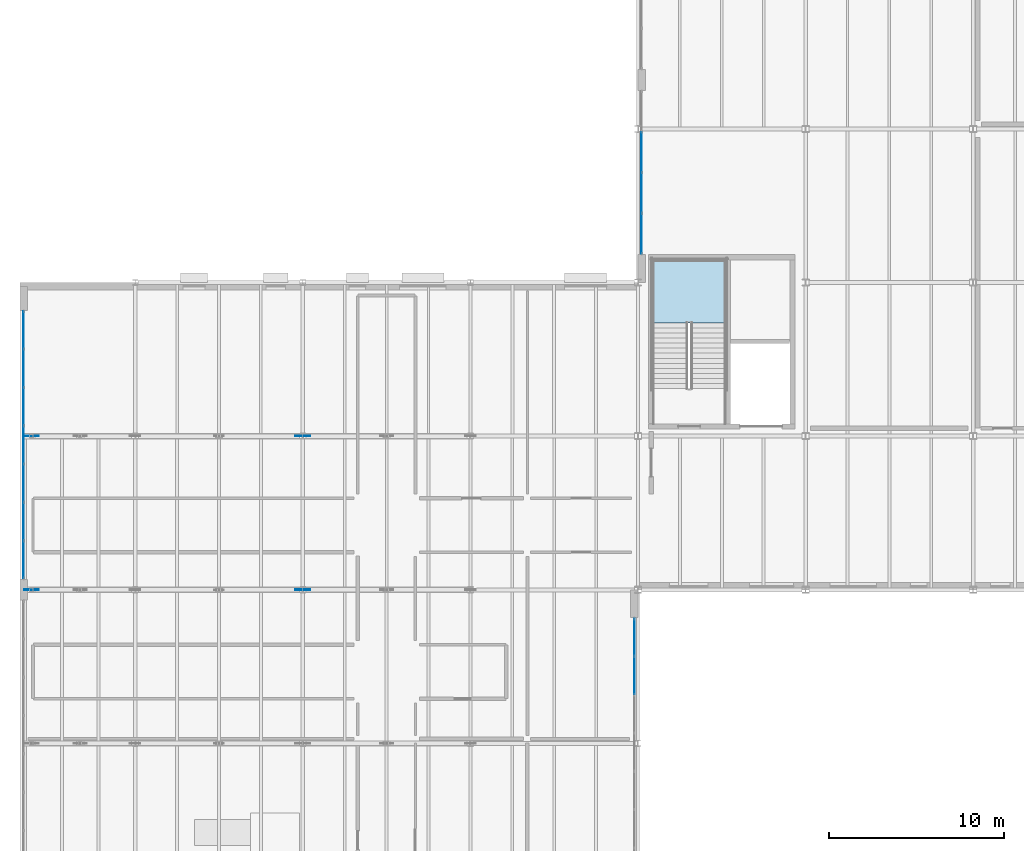
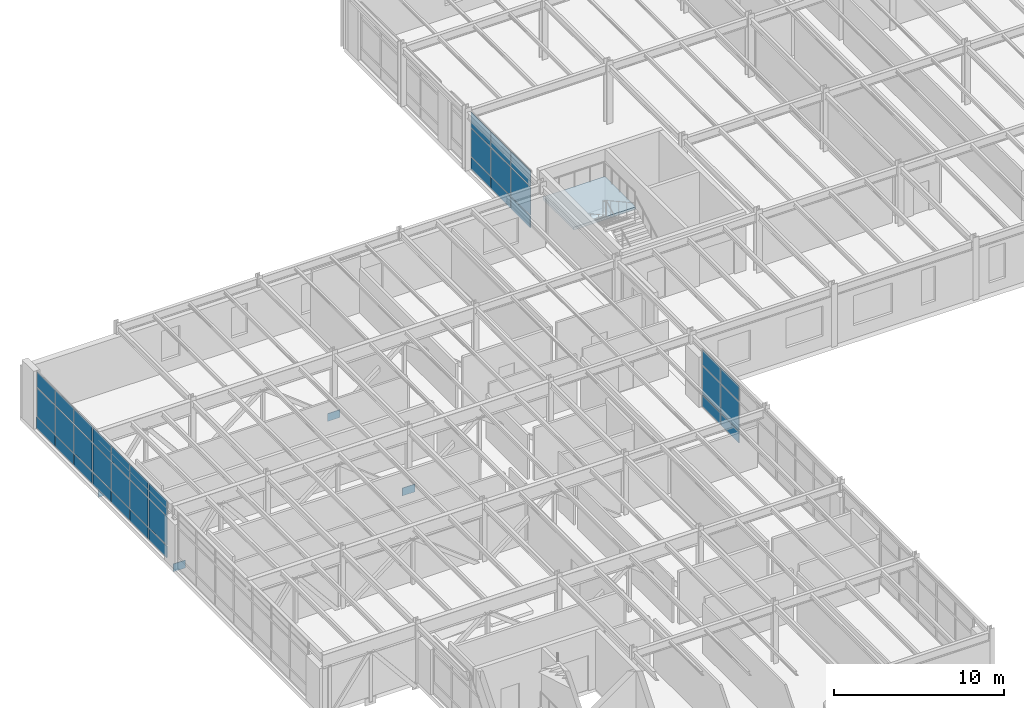
# One storey, part 53 of 88: 40 plates, 1 slab, 4 elements without a shape of their own.
"""IFC4 building model written with IfcOpenShell, lengths in metres."""

from ifc_helpers import new_model, si_unit, direction, frame, origin, origin_2d, place, context, subcontext, project, spatial, polyline, rectangle, outline, extrude, material, layer, layer_set, type_object, element, aggregate, save


model = new_model("IFC4")

# Units and contexts
model_context = context("Model", 3, precision=1e-05, world=origin(), true_north=direction((0.0, 1.0)))
body_context = subcontext(model_context, "Body", "Model", "MODEL_VIEW")
ifc_project = project(units=[si_unit("LENGTHUNIT", "METRE"), si_unit("AREAUNIT", "SQUARE_METRE"), si_unit("VOLUMEUNIT", "CUBIC_METRE"), si_unit("PLANEANGLEUNIT", "RADIAN"), si_unit("MASSUNIT", "GRAM", prefix="KILO")], contexts=[model_context])

# Site, building, storey
site_placement = place(None, origin())
site = spatial("IfcSite", under=ifc_project, at=site_placement, CompositionType="ELEMENT")
building_placement = place(site_placement, origin())
building = spatial("IfcBuilding", under=site, at=building_placement, Name="Sarnbrook Museum", CompositionType="ELEMENT")
storey_placement = place(building_placement, frame((0.0, 0.0, 10.10009765625)))
storey = spatial("IfcBuildingStorey", under=building, at=storey_placement, Name="L02", CompositionType="ELEMENT", Elevation=10.10009765625)

# Curtain wall, plates
ifc_material_1 = material(Name="Thermally Broken Anodised Aluminium 6063-T6", Category="aluminium")
curtain_wall_type = type_object("IfcCurtainWallType", Name="CurtainWall_GalleryRibbon", PredefinedType="NOTDEFINED", material=ifc_material_1)
curtain_wall_1_placement = place(storey_placement, origin())
curtain_wall_1 = element("IfcCurtainWall", 1, at=curtain_wall_1_placement, inside=storey, type_object=curtain_wall_type, Name="Gallery Ribbon Curtain Wall L02-6.2", PredefinedType="NOTDEFINED")
ifc_material_2 = material(Name="Double-Glazed Low-Iron Laminated Safety Glass", Category="glass")
ifc_layer_1 = layer(ifc_material_2, 0.031982421875)
ifc_layer_set_1 = layer_set([ifc_layer_1], Name="Double-Glazed Low-Iron Laminated Safety Glass")
plate_type_1 = type_object("IfcPlateType", Name="CW_GlazedPanel_32", PredefinedType="CURTAIN_PANEL", material=ifc_layer_set_1)
plate_1_placement = place(storey_placement, frame((42.6181640625, 99.469970703125, 1.949951171875), z_axis=(-1.0, 0.0, 0.0), x_axis=(0.0, -1.0, 0.0)))
plate_1 = element("IfcPlate", 2, at=plate_1_placement, type_object=plate_type_1, Name="Gallery Ribbon Curtain Wall L02-6.2 Glazed Panel 2-2", PredefinedType="CURTAIN_PANEL", context=body_context, shape_type="SweptSolid", body=[
    extrude(rectangle(XDim=2.264892578125, YDim=2.030029296875, at=origin_2d()), origin(), (0.0, 0.0, 1.0), 0.031982421875),
])
plate_2_placement = place(storey_placement, frame((42.6181640625, 99.469970703125, 3.579833984375), z_axis=(-1.0, 0.0, 0.0), x_axis=(0.0, -1.0, 0.0)))
plate_2 = element("IfcPlate", 3, at=plate_2_placement, type_object=plate_type_1, Name="Gallery Ribbon Curtain Wall L02-6.2 Glazed Panel 2-3", PredefinedType="CURTAIN_PANEL", context=body_context, shape_type="SweptSolid", body=[
    extrude(rectangle(XDim=2.264892578125, YDim=1.090087890625, at=origin_2d()), origin(), (0.0, 0.0, 1.0), 0.031982421875),
])
plate_3_placement = place(storey_placement, frame((42.6181640625, 97.1298828125, 1.949951171875), z_axis=(-1.0, 0.0, 0.0), x_axis=(0.0, -1.0, 0.0)))
plate_3 = element("IfcPlate", 4, at=plate_3_placement, type_object=plate_type_1, Name="Gallery Ribbon Curtain Wall L02-6.2 Glazed Panel 3-2", PredefinedType="CURTAIN_PANEL", context=body_context, shape_type="SweptSolid", body=[
    extrude(rectangle(XDim=2.264892578125, YDim=2.030029296875, at=origin_2d()), origin(), (0.0, 0.0, 1.0), 0.031982421875),
])
plate_4_placement = place(storey_placement, frame((42.6181640625, 97.1298828125, 3.579833984375), z_axis=(-1.0, 0.0, 0.0), x_axis=(0.0, -1.0, 0.0)))
plate_4 = element("IfcPlate", 5, at=plate_4_placement, type_object=plate_type_1, Name="Gallery Ribbon Curtain Wall L02-6.2 Glazed Panel 3-3", PredefinedType="CURTAIN_PANEL", context=body_context, shape_type="SweptSolid", body=[
    extrude(rectangle(XDim=2.264892578125, YDim=1.090087890625, at=origin_2d()), origin(), (0.0, 0.0, 1.0), 0.031982421875),
])
plate_5_placement = place(storey_placement, frame((42.6181640625, 94.7900390625, 1.949951171875), z_axis=(-1.0, 0.0, 0.0), x_axis=(0.0, -1.0, 0.0)))
plate_5 = element("IfcPlate", 6, at=plate_5_placement, type_object=plate_type_1, Name="Gallery Ribbon Curtain Wall L02-6.2 Glazed Panel 4-2", PredefinedType="CURTAIN_PANEL", context=body_context, shape_type="SweptSolid", body=[
    extrude(rectangle(XDim=2.264892578125, YDim=2.030029296875, at=origin_2d()), origin(), (0.0, 0.0, 1.0), 0.031982421875),
])
plate_6_placement = place(storey_placement, frame((42.6181640625, 94.7900390625, 3.579833984375), z_axis=(-1.0, 0.0, 0.0), x_axis=(0.0, -1.0, 0.0)))
plate_6 = element("IfcPlate", 7, at=plate_6_placement, type_object=plate_type_1, Name="Gallery Ribbon Curtain Wall L02-6.2 Glazed Panel 4-3", PredefinedType="CURTAIN_PANEL", context=body_context, shape_type="SweptSolid", body=[
    extrude(rectangle(XDim=2.264892578125, YDim=1.090087890625, at=origin_2d()), origin(), (0.0, 0.0, 1.0), 0.031982421875),
])

curtain_wall_2_placement = place(storey_placement, origin())
curtain_wall_2 = element("IfcCurtainWall", 8, at=curtain_wall_2_placement, inside=storey, type_object=curtain_wall_type, Name="Gallery Ribbon Curtain Wall L02-8.1", PredefinedType="NOTDEFINED")
plate_7_placement = place(storey_placement, frame((7.2177734375, 89.282958984375, 1.949951171875), z_axis=(-1.0, 0.0, 0.0), x_axis=(0.0, -1.0, 0.0)))
plate_7 = element("IfcPlate", 9, at=plate_7_placement, type_object=plate_type_1, Name="Gallery Ribbon Curtain Wall L02-8.1 Glazed Panel 1-2", PredefinedType="CURTAIN_PANEL", context=body_context, shape_type="SweptSolid", body=[
    extrude(rectangle(XDim=2.119384765625, YDim=2.030029296875, at=origin_2d()), origin(), (0.0, 0.0, 1.0), 0.031982421875),
])
plate_8_placement = place(storey_placement, frame((7.2177734375, 89.282958984375, 3.579833984375), z_axis=(-1.0, 0.0, 0.0), x_axis=(0.0, -1.0, 0.0)))
plate_8 = element("IfcPlate", 10, at=plate_8_placement, type_object=plate_type_1, Name="Gallery Ribbon Curtain Wall L02-8.1 Glazed Panel 1-3", PredefinedType="CURTAIN_PANEL", context=body_context, shape_type="SweptSolid", body=[
    extrude(rectangle(XDim=2.119384765625, YDim=1.090087890625, at=origin_2d()), origin(), (0.0, 0.0, 1.0), 0.031982421875),
])
plate_9_placement = place(storey_placement, frame((7.2177734375, 87.088623046875, 1.949951171875), z_axis=(-1.0, 0.0, 0.0), x_axis=(0.0, -1.0, 0.0)))
plate_9 = element("IfcPlate", 11, at=plate_9_placement, type_object=plate_type_1, Name="Gallery Ribbon Curtain Wall L02-8.1 Glazed Panel 2-2", PredefinedType="CURTAIN_PANEL", context=body_context, shape_type="SweptSolid", body=[
    extrude(rectangle(XDim=2.119384765625, YDim=2.030029296875, at=origin_2d()), origin(), (0.0, 0.0, 1.0), 0.031982421875),
])
plate_10_placement = place(storey_placement, frame((7.2177734375, 87.088623046875, 3.579833984375), z_axis=(-1.0, 0.0, 0.0), x_axis=(0.0, -1.0, 0.0)))
plate_10 = element("IfcPlate", 12, at=plate_10_placement, type_object=plate_type_1, Name="Gallery Ribbon Curtain Wall L02-8.1 Glazed Panel 2-3", PredefinedType="CURTAIN_PANEL", context=body_context, shape_type="SweptSolid", body=[
    extrude(rectangle(XDim=2.119384765625, YDim=1.090087890625, at=origin_2d()), origin(), (0.0, 0.0, 1.0), 0.031982421875),
])
plate_11_placement = place(storey_placement, frame((7.2177734375, 84.894287109375, 1.949951171875), z_axis=(-1.0, 0.0, 0.0), x_axis=(0.0, -1.0, 0.0)))
plate_11 = element("IfcPlate", 13, at=plate_11_placement, type_object=plate_type_1, Name="Gallery Ribbon Curtain Wall L02-8.1 Glazed Panel 3-2", PredefinedType="CURTAIN_PANEL", context=body_context, shape_type="SweptSolid", body=[
    extrude(rectangle(XDim=2.119384765625, YDim=2.030029296875, at=origin_2d()), origin(), (0.0, 0.0, 1.0), 0.031982421875),
])
plate_12_placement = place(storey_placement, frame((7.2177734375, 84.894287109375, 3.579833984375), z_axis=(-1.0, 0.0, 0.0), x_axis=(0.0, -1.0, 0.0)))
plate_12 = element("IfcPlate", 14, at=plate_12_placement, type_object=plate_type_1, Name="Gallery Ribbon Curtain Wall L02-8.1 Glazed Panel 3-3", PredefinedType="CURTAIN_PANEL", context=body_context, shape_type="SweptSolid", body=[
    extrude(rectangle(XDim=2.119384765625, YDim=1.090087890625, at=origin_2d()), origin(), (0.0, 0.0, 1.0), 0.031982421875),
])
plate_13_placement = place(storey_placement, frame((7.2177734375, 82.699951171875, 1.949951171875), z_axis=(-1.0, 0.0, 0.0), x_axis=(0.0, -1.0, 0.0)))
plate_13 = element("IfcPlate", 15, at=plate_13_placement, type_object=plate_type_1, Name="Gallery Ribbon Curtain Wall L02-8.1 Glazed Panel 4-2", PredefinedType="CURTAIN_PANEL", context=body_context, shape_type="SweptSolid", body=[
    extrude(rectangle(XDim=2.119384765625, YDim=2.030029296875, at=origin_2d()), origin(), (0.0, 0.0, 1.0), 0.031982421875),
])
plate_14_placement = place(storey_placement, frame((7.2177734375, 82.699951171875, 3.579833984375), z_axis=(-1.0, 0.0, 0.0), x_axis=(0.0, -1.0, 0.0)))
plate_14 = element("IfcPlate", 16, at=plate_14_placement, type_object=plate_type_1, Name="Gallery Ribbon Curtain Wall L02-8.1 Glazed Panel 4-3", PredefinedType="CURTAIN_PANEL", context=body_context, shape_type="SweptSolid", body=[
    extrude(rectangle(XDim=2.119384765625, YDim=1.090087890625, at=origin_2d()), origin(), (0.0, 0.0, 1.0), 0.031982421875),
])
plate_15_placement = place(storey_placement, frame((7.2177734375, 80.505615234375, 1.949951171875), z_axis=(-1.0, 0.0, 0.0), x_axis=(0.0, -1.0, 0.0)))
plate_15 = element("IfcPlate", 17, at=plate_15_placement, type_object=plate_type_1, Name="Gallery Ribbon Curtain Wall L02-8.1 Glazed Panel 5-2", PredefinedType="CURTAIN_PANEL", context=body_context, shape_type="SweptSolid", body=[
    extrude(rectangle(XDim=2.119384765625, YDim=2.030029296875, at=origin_2d()), origin(), (0.0, 0.0, 1.0), 0.031982421875),
])
plate_16_placement = place(storey_placement, frame((7.2177734375, 80.505615234375, 3.579833984375), z_axis=(-1.0, 0.0, 0.0), x_axis=(0.0, -1.0, 0.0)))
plate_16 = element("IfcPlate", 18, at=plate_16_placement, type_object=plate_type_1, Name="Gallery Ribbon Curtain Wall L02-8.1 Glazed Panel 5-3", PredefinedType="CURTAIN_PANEL", context=body_context, shape_type="SweptSolid", body=[
    extrude(rectangle(XDim=2.119384765625, YDim=1.090087890625, at=origin_2d()), origin(), (0.0, 0.0, 1.0), 0.031982421875),
])
plate_17_placement = place(storey_placement, frame((7.2177734375, 78.311279296875, 1.949951171875), z_axis=(-1.0, 0.0, 0.0), x_axis=(0.0, -1.0, 0.0)))
plate_17 = element("IfcPlate", 19, at=plate_17_placement, type_object=plate_type_1, Name="Gallery Ribbon Curtain Wall L02-8.1 Glazed Panel 6-2", PredefinedType="CURTAIN_PANEL", context=body_context, shape_type="SweptSolid", body=[
    extrude(rectangle(XDim=2.119384765625, YDim=2.030029296875, at=origin_2d()), origin(), (0.0, 0.0, 1.0), 0.031982421875),
])
plate_18_placement = place(storey_placement, frame((7.2177734375, 78.311279296875, 3.579833984375), z_axis=(-1.0, 0.0, 0.0), x_axis=(0.0, -1.0, 0.0)))
plate_18 = element("IfcPlate", 20, at=plate_18_placement, type_object=plate_type_1, Name="Gallery Ribbon Curtain Wall L02-8.1 Glazed Panel 6-3", PredefinedType="CURTAIN_PANEL", context=body_context, shape_type="SweptSolid", body=[
    extrude(rectangle(XDim=2.119384765625, YDim=1.090087890625, at=origin_2d()), origin(), (0.0, 0.0, 1.0), 0.031982421875),
])
plate_19_placement = place(storey_placement, frame((7.2177734375, 76.1171875, 1.949951171875), z_axis=(-1.0, 0.0, 0.0), x_axis=(0.0, -1.0, 0.0)))
plate_19 = element("IfcPlate", 21, at=plate_19_placement, type_object=plate_type_1, Name="Gallery Ribbon Curtain Wall L02-8.1 Glazed Panel 7-2", PredefinedType="CURTAIN_PANEL", context=body_context, shape_type="SweptSolid", body=[
    extrude(rectangle(XDim=2.119384765625, YDim=2.030029296875, at=origin_2d()), origin(), (0.0, 0.0, 1.0), 0.031982421875),
])
plate_20_placement = place(storey_placement, frame((7.2177734375, 76.1171875, 3.579833984375), z_axis=(-1.0, 0.0, 0.0), x_axis=(0.0, -1.0, 0.0)))
plate_20 = element("IfcPlate", 22, at=plate_20_placement, type_object=plate_type_1, Name="Gallery Ribbon Curtain Wall L02-8.1 Glazed Panel 7-3", PredefinedType="CURTAIN_PANEL", context=body_context, shape_type="SweptSolid", body=[
    extrude(rectangle(XDim=2.119384765625, YDim=1.090087890625, at=origin_2d()), origin(), (0.0, 0.0, 1.0), 0.031982421875),
])

curtain_wall_3_placement = place(storey_placement, origin())
curtain_wall_3 = element("IfcCurtainWall", 23, at=curtain_wall_3_placement, inside=storey, type_object=curtain_wall_type, Name="Gallery Ribbon Curtain Wall L02-12.2", PredefinedType="NOTDEFINED")
plate_21_placement = place(storey_placement, frame((42.18212890625, 69.488525390625, 1.949951171875), z_axis=(1.0, 0.0, 0.0), x_axis=(0.0, 1.0, 0.0)))
plate_21 = element("IfcPlate", 24, at=plate_21_placement, type_object=plate_type_1, Name="Gallery Ribbon Curtain Wall L02-12.2 Glazed Panel 6-2", PredefinedType="CURTAIN_PANEL", context=body_context, shape_type="SweptSolid", body=[
    extrude(rectangle(XDim=2.119384765625, YDim=2.030029296875, at=origin_2d()), origin(), (0.0, 0.0, 1.0), 0.031982421875),
])
plate_22_placement = place(storey_placement, frame((42.18212890625, 69.488525390625, 3.579833984375), z_axis=(1.0, 0.0, 0.0), x_axis=(0.0, 1.0, 0.0)))
plate_22 = element("IfcPlate", 25, at=plate_22_placement, type_object=plate_type_1, Name="Gallery Ribbon Curtain Wall L02-12.2 Glazed Panel 6-3", PredefinedType="CURTAIN_PANEL", context=body_context, shape_type="SweptSolid", body=[
    extrude(rectangle(XDim=2.119384765625, YDim=1.090087890625, at=origin_2d()), origin(), (0.0, 0.0, 1.0), 0.031982421875),
])
plate_23_placement = place(storey_placement, frame((42.18212890625, 71.682861328125, 1.949951171875), z_axis=(1.0, 0.0, 0.0), x_axis=(0.0, 1.0, 0.0)))
plate_23 = element("IfcPlate", 26, at=plate_23_placement, type_object=plate_type_1, Name="Gallery Ribbon Curtain Wall L02-12.2 Glazed Panel 7-2", PredefinedType="CURTAIN_PANEL", context=body_context, shape_type="SweptSolid", body=[
    extrude(rectangle(XDim=2.119384765625, YDim=2.030029296875, at=origin_2d()), origin(), (0.0, 0.0, 1.0), 0.031982421875),
])
plate_24_placement = place(storey_placement, frame((42.18212890625, 71.682861328125, 3.579833984375), z_axis=(1.0, 0.0, 0.0), x_axis=(0.0, 1.0, 0.0)))
plate_24 = element("IfcPlate", 27, at=plate_24_placement, type_object=plate_type_1, Name="Gallery Ribbon Curtain Wall L02-12.2 Glazed Panel 7-3", PredefinedType="CURTAIN_PANEL", context=body_context, shape_type="SweptSolid", body=[
    extrude(rectangle(XDim=2.119384765625, YDim=1.090087890625, at=origin_2d()), origin(), (0.0, 0.0, 1.0), 0.031982421875),
])

# Plate
ifc_material_3 = material(Name="Patinated Architectural Bronze")
ifc_layer_2 = layer(ifc_material_3, 0.044921875)
ifc_layer_set_2 = layer_set([ifc_layer_2], Name="Patinated Architectural Bronze")
plate_type_2 = type_object("IfcPlateType", Name="CW_SpandrelPanel_45", PredefinedType="CURTAIN_PANEL", material=ifc_layer_set_2)
plate_25_placement = place(storey_placement, frame((42.62451171875, 99.469970703125, 0.449951171875), z_axis=(-1.0, 0.0, 0.0), x_axis=(0.0, -1.0, 0.0)))
plate_25 = element("IfcPlate", 28, at=plate_25_placement, type_object=plate_type_2, Name="Gallery Ribbon Curtain Wall L02-6.2 Spandrel Panel 2-1", PredefinedType="CURTAIN_PANEL", context=body_context, shape_type="SweptSolid", body=[
    extrude(rectangle(XDim=2.264892578125, YDim=0.830078125, at=origin_2d()), origin(), (0.0, 0.0, 1.0), 0.044921875),
])

plate_26_placement = place(storey_placement, frame((42.62451171875, 97.1298828125, 0.449951171875), z_axis=(-1.0, 0.0, 0.0), x_axis=(0.0, -1.0, 0.0)))
plate_26 = element("IfcPlate", 29, at=plate_26_placement, type_object=plate_type_2, Name="Gallery Ribbon Curtain Wall L02-6.2 Spandrel Panel 3-1", PredefinedType="CURTAIN_PANEL", context=body_context, shape_type="SweptSolid", body=[
    extrude(rectangle(XDim=2.264892578125, YDim=0.830078125, at=origin_2d()), origin(), (0.0, 0.0, 1.0), 0.044921875),
])

plate_27_placement = place(storey_placement, frame((42.62451171875, 94.7900390625, 0.449951171875), z_axis=(-1.0, 0.0, 0.0), x_axis=(0.0, -1.0, 0.0)))
plate_27 = element("IfcPlate", 30, at=plate_27_placement, type_object=plate_type_2, Name="Gallery Ribbon Curtain Wall L02-6.2 Spandrel Panel 4-1", PredefinedType="CURTAIN_PANEL", context=body_context, shape_type="SweptSolid", body=[
    extrude(rectangle(XDim=2.264892578125, YDim=0.830078125, at=origin_2d()), origin(), (0.0, 0.0, 1.0), 0.044921875),
])

aggregate(curtain_wall_1, [plate_25, plate_1, plate_2, plate_26, plate_3, plate_4, plate_27, plate_5, plate_6])

plate_28_placement = place(storey_placement, frame((7.224365234375, 89.282958984375, 0.449951171875), z_axis=(-1.0, 0.0, 0.0), x_axis=(0.0, -1.0, 0.0)))
plate_28 = element("IfcPlate", 31, at=plate_28_placement, type_object=plate_type_2, Name="Gallery Ribbon Curtain Wall L02-8.1 Spandrel Panel 1-1", PredefinedType="CURTAIN_PANEL", context=body_context, shape_type="SweptSolid", body=[
    extrude(rectangle(XDim=2.119384765625, YDim=0.830078125, at=origin_2d()), origin(), (0.0, 0.0, 1.0), 0.044921875),
])

plate_29_placement = place(storey_placement, frame((7.224365234375, 87.088623046875, 0.449951171875), z_axis=(-1.0, 0.0, 0.0), x_axis=(0.0, -1.0, 0.0)))
plate_29 = element("IfcPlate", 32, at=plate_29_placement, type_object=plate_type_2, Name="Gallery Ribbon Curtain Wall L02-8.1 Spandrel Panel 2-1", PredefinedType="CURTAIN_PANEL", context=body_context, shape_type="SweptSolid", body=[
    extrude(rectangle(XDim=2.119384765625, YDim=0.830078125, at=origin_2d()), origin(), (0.0, 0.0, 1.0), 0.044921875),
])

plate_30_placement = place(storey_placement, frame((7.224365234375, 84.894287109375, 0.449951171875), z_axis=(-1.0, 0.0, 0.0), x_axis=(0.0, -1.0, 0.0)))
plate_30 = element("IfcPlate", 33, at=plate_30_placement, type_object=plate_type_2, Name="Gallery Ribbon Curtain Wall L02-8.1 Spandrel Panel 3-1", PredefinedType="CURTAIN_PANEL", context=body_context, shape_type="SweptSolid", body=[
    extrude(rectangle(XDim=2.119384765625, YDim=0.830078125, at=origin_2d()), origin(), (0.0, 0.0, 1.0), 0.044921875),
])

plate_31_placement = place(storey_placement, frame((7.224365234375, 82.699951171875, 0.449951171875), z_axis=(-1.0, 0.0, 0.0), x_axis=(0.0, -1.0, 0.0)))
plate_31 = element("IfcPlate", 34, at=plate_31_placement, type_object=plate_type_2, Name="Gallery Ribbon Curtain Wall L02-8.1 Spandrel Panel 4-1", PredefinedType="CURTAIN_PANEL", context=body_context, shape_type="SweptSolid", body=[
    extrude(rectangle(XDim=2.119384765625, YDim=0.830078125, at=origin_2d()), origin(), (0.0, 0.0, 1.0), 0.044921875),
])

plate_32_placement = place(storey_placement, frame((7.224365234375, 80.505615234375, 0.449951171875), z_axis=(-1.0, 0.0, 0.0), x_axis=(0.0, -1.0, 0.0)))
plate_32 = element("IfcPlate", 35, at=plate_32_placement, type_object=plate_type_2, Name="Gallery Ribbon Curtain Wall L02-8.1 Spandrel Panel 5-1", PredefinedType="CURTAIN_PANEL", context=body_context, shape_type="SweptSolid", body=[
    extrude(rectangle(XDim=2.119384765625, YDim=0.830078125, at=origin_2d()), origin(), (0.0, 0.0, 1.0), 0.044921875),
])

plate_33_placement = place(storey_placement, frame((7.224365234375, 78.311279296875, 0.449951171875), z_axis=(-1.0, 0.0, 0.0), x_axis=(0.0, -1.0, 0.0)))
plate_33 = element("IfcPlate", 36, at=plate_33_placement, type_object=plate_type_2, Name="Gallery Ribbon Curtain Wall L02-8.1 Spandrel Panel 6-1", PredefinedType="CURTAIN_PANEL", context=body_context, shape_type="SweptSolid", body=[
    extrude(rectangle(XDim=2.119384765625, YDim=0.830078125, at=origin_2d()), origin(), (0.0, 0.0, 1.0), 0.044921875),
])

plate_34_placement = place(storey_placement, frame((7.224365234375, 76.1171875, 0.449951171875), z_axis=(-1.0, 0.0, 0.0), x_axis=(0.0, -1.0, 0.0)))
plate_34 = element("IfcPlate", 37, at=plate_34_placement, type_object=plate_type_2, Name="Gallery Ribbon Curtain Wall L02-8.1 Spandrel Panel 7-1", PredefinedType="CURTAIN_PANEL", context=body_context, shape_type="SweptSolid", body=[
    extrude(rectangle(XDim=2.119384765625, YDim=0.830078125, at=origin_2d()), origin(), (0.0, 0.0, 1.0), 0.044921875),
])

aggregate(curtain_wall_2, [plate_28, plate_7, plate_8, plate_29, plate_9, plate_10, plate_30, plate_11, plate_12, plate_31, plate_13, plate_14, plate_32, plate_15, plate_16, plate_33, plate_17, plate_18, plate_34, plate_19, plate_20])

plate_35_placement = place(storey_placement, frame((42.175537109375, 69.488525390625, 0.449951171875), z_axis=(1.0, 0.0, 0.0), x_axis=(0.0, 1.0, 0.0)))
plate_35 = element("IfcPlate", 38, at=plate_35_placement, type_object=plate_type_2, Name="Gallery Ribbon Curtain Wall L02-12.2 Spandrel Panel 6-1", PredefinedType="CURTAIN_PANEL", context=body_context, shape_type="SweptSolid", body=[
    extrude(rectangle(XDim=2.119384765625, YDim=0.830078125, at=origin_2d()), origin(), (0.0, 0.0, 1.0), 0.044921875),
])

plate_36_placement = place(storey_placement, frame((42.175537109375, 71.682861328125, 0.449951171875), z_axis=(1.0, 0.0, 0.0), x_axis=(0.0, 1.0, 0.0)))
plate_36 = element("IfcPlate", 39, at=plate_36_placement, type_object=plate_type_2, Name="Gallery Ribbon Curtain Wall L02-12.2 Spandrel Panel 7-1", PredefinedType="CURTAIN_PANEL", context=body_context, shape_type="SweptSolid", body=[
    extrude(rectangle(XDim=2.119384765625, YDim=0.830078125, at=origin_2d()), origin(), (0.0, 0.0, 1.0), 0.044921875),
])

aggregate(curtain_wall_3, [plate_35, plate_21, plate_22, plate_36, plate_23, plate_24])

# Plates
ifc_material_4 = material(Name="Structural Steel Grade 350L0 (AS/NZS 3678, fy = 340 MPa for 20 < t <= 40 mm)", Category="steel")
ifc_layer_3 = layer(ifc_material_4, 0.031982421875)
ifc_layer_set_3 = layer_set([ifc_layer_3], Name="Structural Steel Grade 350L0 (AS/NZS 3678, fy = 340 MPa for 20 < t <= 40 mm)")
plate_type_3 = type_object("IfcPlateType", Name="GussetPlate_KN3", PredefinedType="USERDEFINED", material=ifc_layer_set_3)
for number, where, z_axis, x_axis, name in (
    (40, (23.199951171875, 74.39990234375, -0.580078125), (0.0, 0.0, 1.0), (1.0, 0.0, 0.0), "Transfer Truss Node Gusset Plate KN-3 TT3-B2"),
    (41, (7.64990234375, 74.39990234375, -0.580078125), (0.0, 0.0, 1.0), (1.0, 0.0, 0.0), "Transfer Truss Node Gusset Plate KN-3 TT3-B6"),
    (42, (23.199951171875, 83.199951171875, -0.580078125), (0.0, 0.0, 1.0), (1.0, 0.0, 0.0), "Transfer Truss Node Gusset Plate KN-3 TT4-B2"),
    (43, (7.64990234375, 83.199951171875, -0.580078125), (0.0, 0.0, 1.0), (1.0, 0.0, 0.0), "Transfer Truss Node Gusset Plate KN-3 TT4-B6"),
):
    element("IfcPlate", number, at=place(storey_placement, frame(where, z_axis=z_axis, x_axis=x_axis)), inside=storey, type_object=plate_type_3, Name=name, ObjectType="GUSSET PLATE", PredefinedType="USERDEFINED", context=body_context, shape_type="SweptSolid", body=[
        extrude(rectangle(XDim=0.840087890625, YDim=0.031982421875, at=origin_2d()), origin(), (0.0, 0.0, 1.0), 0.56005859375),
    ])

# Stair, slab
ifc_material_5 = material(Name="Concrete N40 (AS 3600, f'c = 40 MPa)", Category="concrete")
stair_type = type_object("IfcStairType", Name="Stair_ST07", PredefinedType="HALF_TURN_STAIR", material=ifc_material_5)
stair_placement = place(storey_placement, origin())
stair = element("IfcStair", 44, at=stair_placement, inside=storey, type_object=stair_type, Name="L02 Exit Stair ST6", PredefinedType="HALF_TURN_STAIR")
ifc_layer_4 = layer(ifc_material_5, 0.199951171875)
ifc_layer_set_4 = layer_set([ifc_layer_4], Name="Concrete N40 (AS 3600, f'c = 40 MPa)")
slab_type = type_object("IfcSlabType", Name="Landing_200", PredefinedType="LANDING", material=ifc_layer_set_4)
slab_placement = place(storey_placement, frame((0.0, 0.0, 2.0498046875)))
slab = element("IfcSlab", 45, at=slab_placement, type_object=slab_type, Name="ST6 landing 1", PredefinedType="LANDING", context=body_context, shape_type="SweptSolid", body=[
    extrude(outline(polyline([(47.43994140625, 89.68994140625), (47.43994140625, 93.300048828125), (43.239990234375, 93.300048828125), (43.239990234375, 89.68994140625), (47.43994140625, 89.68994140625)])), origin(), (0.0, 0.0, 1.0), 0.2001953125),
])
aggregate(stair, [slab])

save(model, "model.ifc")
